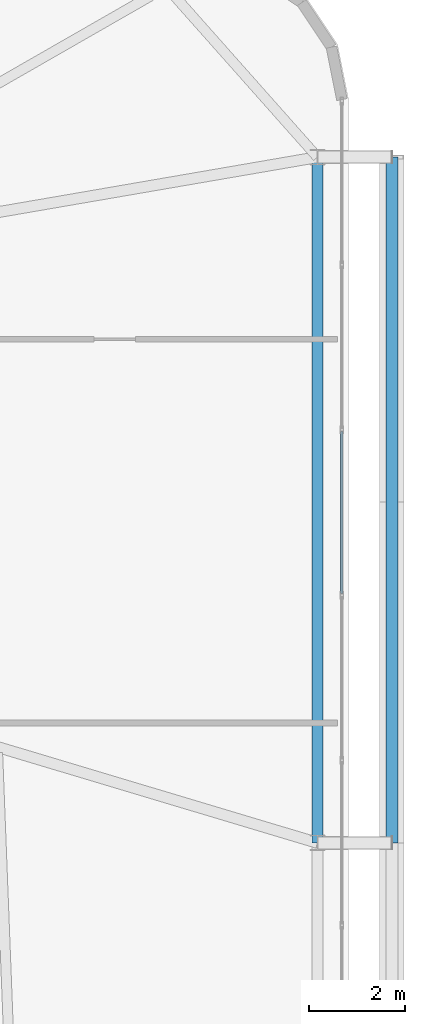
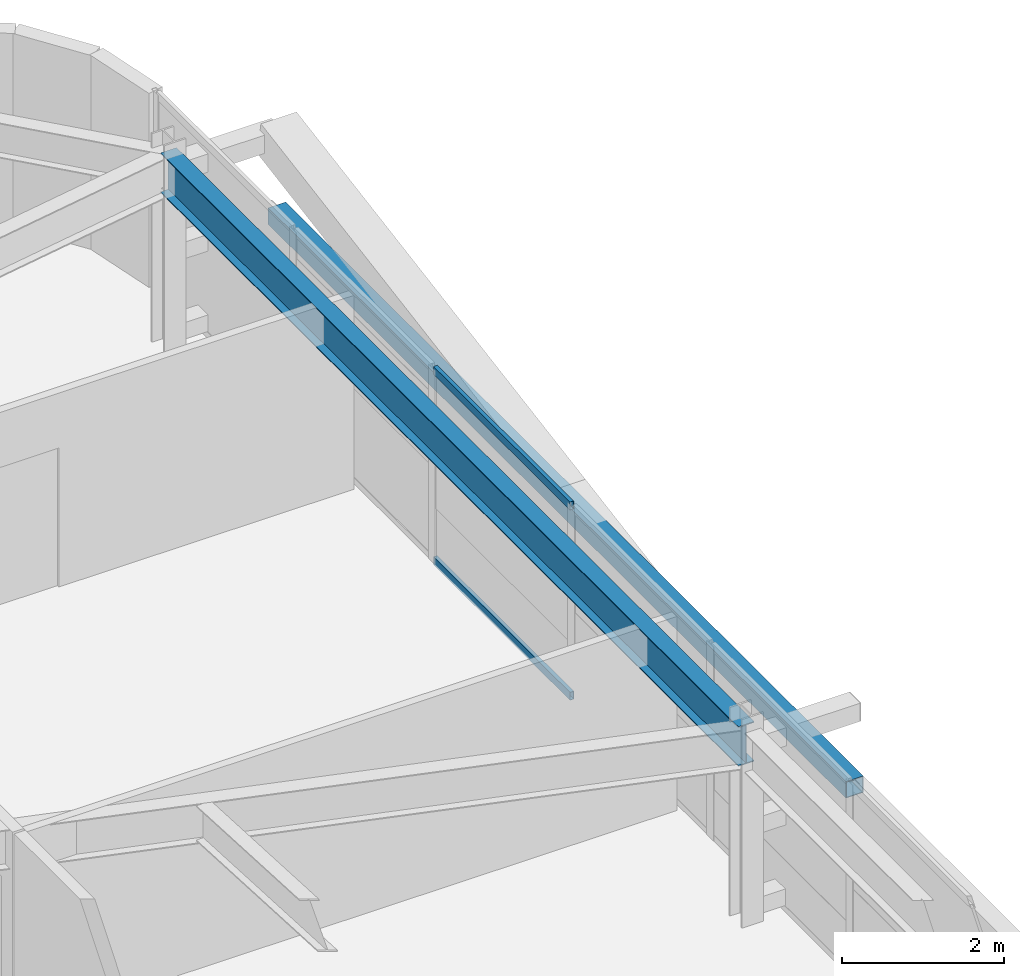
# One storey, part 31 of 58: 3 members, 1 beam, 1 element without a shape of its own.
"""IFC4 building model written with IfcOpenShell, lengths in metres."""

from ifc_helpers import new_model, si_unit, direction, frame, origin, origin_2d, place, context, subcontext, project, spatial, hollow_rectangle, i_section, extrude, source, transform, mapped, material, layer, layer_set, material_profile, profile_set, type_object, element, aggregate, save


model = new_model("IFC4")

# Units and contexts
model_context = context("Model", 3, precision=1e-05, world=origin(), true_north=direction((0.0, 1.0)))
body_context = subcontext(model_context, "Body", "Model", "MODEL_VIEW")
ifc_project = project(units=[si_unit("LENGTHUNIT", "METRE"), si_unit("AREAUNIT", "SQUARE_METRE"), si_unit("VOLUMEUNIT", "CUBIC_METRE"), si_unit("PLANEANGLEUNIT", "RADIAN"), si_unit("MASSUNIT", "GRAM", prefix="KILO")], contexts=[model_context])

# Site, building, storey
site_placement = place(None, origin())
site = spatial("IfcSite", under=ifc_project, at=site_placement, CompositionType="ELEMENT")
building_placement = place(site_placement, origin())
building = spatial("IfcBuilding", under=site, at=building_placement, Name="Taldren Reach Tower", CompositionType="ELEMENT")
storey_placement = place(building_placement, frame((0.0, 0.0, 32.550048828125)))
storey = spatial("IfcBuildingStorey", under=building, at=storey_placement, Name="L09", CompositionType="ELEMENT", Elevation=32.550048828125)

# Beam
ifc_material_1 = material(Name="Steel Gr 350 (350PLUS)", Category="steel")
ifc_material_profile_1 = material_profile(ifc_material_1, i_section(OverallWidth=0.22802734375, OverallDepth=0.60205078125, WebThickness=0.010498046875, FlangeThickness=0.014892578125, at=origin_2d()), Name="610UB101")
ifc_profile_set_1 = profile_set([ifc_material_profile_1], Name="Steel Gr 350 (350PLUS)")
beam_type = type_object("IfcBeamType", Name="BM-UB610B", PredefinedType="BEAM", material=ifc_profile_set_1)
shared_shape_1 = source(origin(), body_context, "Body", "SweptSolid", [
    extrude(i_section(OverallWidth=0.22802734375, OverallDepth=0.60205078125, WebThickness=0.010498046875, FlangeThickness=0.014892578125, at=origin_2d()), origin(), (0.0, 0.0, 1.0), 14.300048828125),
])
beam_placement = place(storey_placement, frame((64.35009765625, 20.0, 2.62890625), z_axis=(0.0, 1.0, 0.0), x_axis=(-1.0, 0.0, 0.0)))
element("IfcBeam", 1, at=beam_placement, inside=storey, type_object=beam_type, Name="Perimeter gable girder B1 E2-E3 L09", PredefinedType="BEAM", context=body_context, shape_type="MappedRepresentation", body=[
    mapped(shared_shape_1, transform((0.0, 0.0, 0.0), scale=1.0)),
])

# Member
ifc_material_2 = material(Name="Steel Gr 350 (C350L0)", Category="steel")
ifc_material_profile_2 = material_profile(ifc_material_2, hollow_rectangle(XDim=0.25, YDim=0.25, WallThickness=0.010009765625, at=origin_2d()), Name="250x250x10.0SHS")
ifc_profile_set_2 = profile_set([ifc_material_profile_2], Name="Steel Gr 350 (C350L0)")
member_type_1 = type_object("IfcMemberType", Name="MB-POST250", PredefinedType="POST", material=ifc_profile_set_2)
shared_shape_2 = source(origin(), body_context, "Body", "SweptSolid", [
    extrude(hollow_rectangle(XDim=0.25, YDim=0.25, WallThickness=0.010009765625, at=origin_2d()), origin(), (0.0, 0.0, 1.0), 14.300048828125),
])
member_1_placement = place(storey_placement, frame((65.89990234375, 20.0, 1.43505859375), z_axis=(0.0, 1.0, 0.0), x_axis=(-1.0, 0.0, 0.0)))
element("IfcMember", 2, at=member_1_placement, inside=storey, type_object=member_type_1, Name="Exoskeleton mid-height ring chord B1-E2 L09", PredefinedType="POST", context=body_context, shape_type="MappedRepresentation", body=[
    mapped(shared_shape_2, transform((0.0, 0.0, 0.0), scale=1.0)),
])

# Curtain wall, members
ifc_material_3 = material(Name="Aluminium and Low-E Glass Unitised System", Category="aluminium")
ifc_layer = layer(ifc_material_3, 0.159912109375)
ifc_layer_set = layer_set([ifc_layer], Name="Aluminium and Low-E Glass Unitised System")
curtain_wall_type = type_object("IfcCurtainWallType", Name="CW-SYS-2", PredefinedType="NOTDEFINED", material=ifc_layer_set)
curtain_wall_placement = place(storey_placement, origin())
curtain_wall = element("IfcCurtainWall", 3, at=curtain_wall_placement, inside=storey, type_object=curtain_wall_type, Name="Unitised curtain wall CW-L09-E", PredefinedType="NOTDEFINED")
ifc_material_4 = material(Name="Anodised Aluminium 6063-T6", Category="aluminium")
ifc_material_profile_3 = material_profile(ifc_material_4, hollow_rectangle(XDim=0.054931640625, YDim=0.1201171875, WallThickness=0.0029296875, at=origin_2d()), Name="ALU-120x55x3RHS")
ifc_profile_set_3 = profile_set([ifc_material_profile_3], Name="Anodised Aluminium 6063-T6")
member_type_2 = type_object("IfcMemberType", Name="CW-TRN-135", PredefinedType="USERDEFINED", material=ifc_profile_set_3)
shared_shape_3 = source(origin(), body_context, "Body", "SweptSolid", [
    extrude(hollow_rectangle(XDim=0.054931640625, YDim=0.1201171875, WallThickness=0.0029296875, at=origin_2d()), origin(), (0.0, 0.0, 1.0), 3.37939453125),
])
member_2_placement = place(storey_placement, frame((64.860107421875, 25.19921875, 0.02734375), z_axis=(0.0, 1.0, 0.0), x_axis=(-1.0, 0.0, 0.0)))
member_2 = element("IfcMember", 4, at=member_2_placement, type_object=member_type_2, Name="CW-2 transom 7.1", ObjectType="TRANSOM", PredefinedType="USERDEFINED", context=body_context, shape_type="MappedRepresentation", body=[
    mapped(shared_shape_3, transform((0.0, 0.0, 0.0), scale=1.0)),
])
member_3_placement = place(storey_placement, frame((64.860107421875, 25.19921875, 2.90234375), z_axis=(0.0, 1.0, 0.0), x_axis=(-1.0, 0.0, 0.0)))
member_3 = element("IfcMember", 5, at=member_3_placement, type_object=member_type_2, Name="CW-2 transom 7.2", ObjectType="TRANSOM", PredefinedType="USERDEFINED", context=body_context, shape_type="MappedRepresentation", body=[
    mapped(shared_shape_3, transform((0.0, 0.0, 0.0), scale=1.0)),
])
aggregate(curtain_wall, [member_2, member_3])

save(model, "model.ifc")
